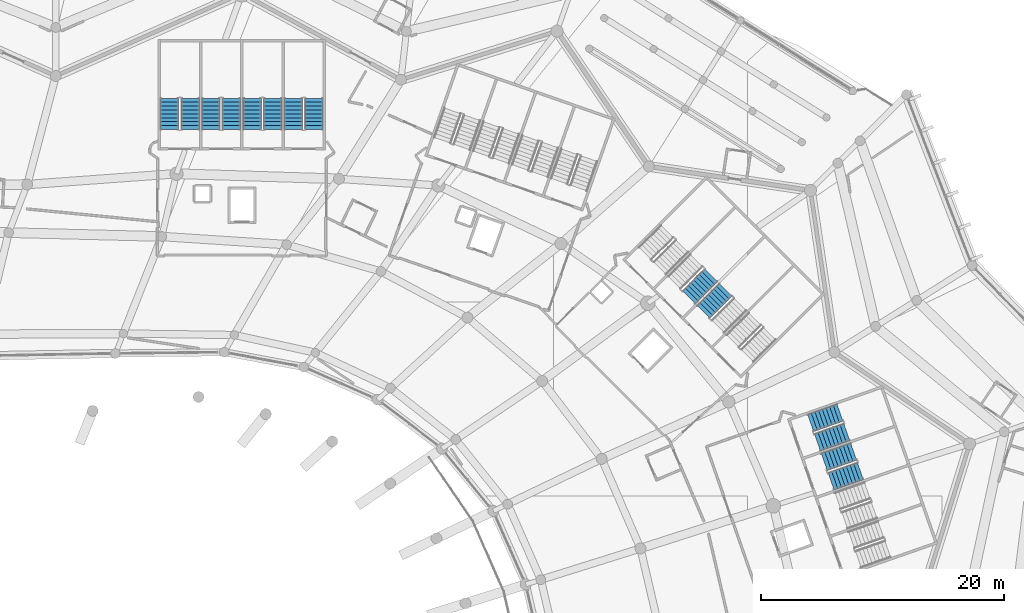
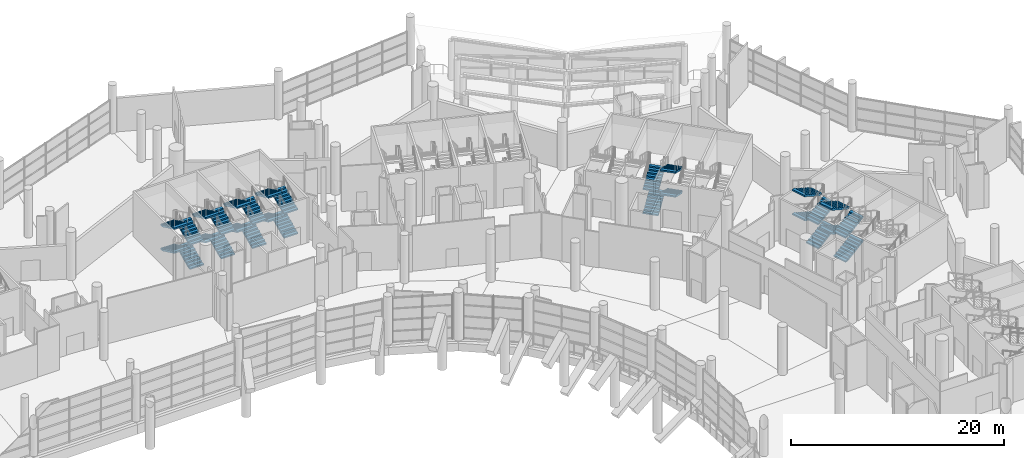
# One storey, part 219 of 271: 28 stair flights, 8 elements without a shape of their own.
"""IFC4 building model written with IfcOpenShell, lengths in metres."""

import ifcopenshell
import ifcopenshell.guid

model = None  # the IFC model being written
_history = None  # IfcOwnerHistory: only IFC2X3 demands one
_inside = {}  # id of a spatial element -> (the spatial element, [elements in it])
_under = {}  # id of a project, library or spatial element -> (it, [spatial elements below it])
_declared = {}  # id of a project -> (the project, [libraries it declares])
_typed = {}  # id of a type object -> (the type object, [elements of that type])
_made_of = {}  # id of a material, layer set ... -> (it, [elements and type objects made of it])


def new_model(schema):
    """Start an empty IFC model of exactly this schema.

    Asked for "IFC4X3", IfcOpenShell would pick the latest addendum, in which some entities
    have other attributes; the version numbers below select the first issue.
    IFC2X3 requires an IfcOwnerHistory on every rooted entity: one is made here for all.
    """
    global model, _history
    if schema == "IFC4X3":
        model = ifcopenshell.file(schema_version=(4, 3, 0, 0))
    else:
        model = ifcopenshell.file(schema=schema)
    _inside.clear()
    _under.clear()
    _declared.clear()
    _typed.clear()
    _made_of.clear()
    _history = None
    if model.schema == "IFC2X3":
        org = make("IfcOrganization", Name="unknown")
        user = make(
            "IfcPersonAndOrganization",
            ThePerson=make("IfcPerson", FamilyName="unknown"),
            TheOrganization=org,
        )
        app = make(
            "IfcApplication",
            ApplicationDeveloper=org,
            Version="unknown",
            ApplicationFullName="unknown",
            ApplicationIdentifier="unknown",
        )
        _history = make(
            "IfcOwnerHistory",
            OwningUser=user,
            OwningApplication=app,
            ChangeAction="ADDED",
            CreationDate=0,
        )
    return model


def make(cls, **values):
    """One entity of the class cls with the attributes given. An attribute that is None is left unset."""
    return model.create_entity(
        cls, **{name: value for name, value in values.items() if value is not None}
    )


def rooted(cls, **values):
    """An entity with a GlobalId (a new one), such as an element, a storey or a relation."""
    return make(cls, GlobalId=ifcopenshell.guid.new(), OwnerHistory=_history, **values)


def si_unit(unit_type, name, prefix=None):
    """IfcSIUnit, for example si_unit("LENGTHUNIT", "METRE", prefix="MILLI")."""
    return make("IfcSIUnit", UnitType=unit_type, Prefix=prefix, Name=name)


def assignment(units):
    """IfcUnitAssignment: the units of a project."""
    return None if units is None else make("IfcUnitAssignment", Units=units)


def point(xyz):
    """IfcCartesianPoint."""
    return None if xyz is None else make("IfcCartesianPoint", Coordinates=xyz)


def direction(xyz):
    """IfcDirection."""
    return None if xyz is None else make("IfcDirection", DirectionRatios=xyz)


def frame(location, z_axis=None, x_axis=None):
    """IfcAxis2Placement3D, a coordinate frame: its origin and axes. An axis left out is left unset."""
    return make(
        "IfcAxis2Placement3D",
        Location=point(location),
        Axis=direction(z_axis),
        RefDirection=direction(x_axis),
    )


def origin():
    """The frame at (0, 0, 0) with its axes left unset."""
    return frame((0.0, 0.0, 0.0))


def place(relative_to, where):
    """IfcLocalPlacement: puts the frame where relative to a parent placement (None: the world)."""
    return make(
        "IfcLocalPlacement", PlacementRelTo=relative_to, RelativePlacement=where
    )


def context(
    kind, dimensions, precision=None, world=None, true_north=None, identifier=None
):
    """IfcGeometricRepresentationContext, for example the 3D "Model" context."""
    return make(
        "IfcGeometricRepresentationContext",
        ContextIdentifier=identifier,
        ContextType=kind,
        CoordinateSpaceDimension=dimensions,
        Precision=precision,
        WorldCoordinateSystem=world,
        TrueNorth=true_north,
    )


def subcontext(parent, identifier, kind, view, scale=None):
    """IfcGeometricRepresentationSubContext, for example "Body" below "Model"."""
    return make(
        "IfcGeometricRepresentationSubContext",
        ContextIdentifier=identifier,
        ContextType=kind,
        ParentContext=parent,
        TargetScale=scale,
        TargetView=view,
    )


def project(units=None, contexts=None):
    """IfcProject with its units and contexts."""
    return rooted(
        "IfcProject",
        Name="project",
        RepresentationContexts=contexts,
        UnitsInContext=assignment(units),
    )


def spatial(cls, under=None, at=None, **own):
    """A site, building, storey or space (cls), placed at a placement, below another one or the project."""
    s = rooted(cls, ObjectPlacement=at, **own)
    if under is not None:
        _under.setdefault(under.id(), (under, []))[1].append(s)
    return s


def polyline(points):
    """IfcPolyline through the points."""
    return make("IfcPolyline", Points=[point(p) for p in points])


def outline(outer, holes=None, kind="AREA"):
    """IfcArbitraryClosedProfileDef: a profile drawn as a closed curve; with holes, ...WithVoids."""
    if holes is None:
        return make("IfcArbitraryClosedProfileDef", ProfileType=kind, OuterCurve=outer)
    return make(
        "IfcArbitraryProfileDefWithVoids",
        ProfileType=kind,
        OuterCurve=outer,
        InnerCurves=holes,
    )


def extrude(swept, where, along, depth):
    """IfcExtrudedAreaSolid: the profile swept, set in the frame where, extruded along a direction by depth."""
    return make(
        "IfcExtrudedAreaSolid",
        SweptArea=swept,
        Position=where,
        ExtrudedDirection=direction(along),
        Depth=depth,
    )


def shape(context_of_items, identifier, shape_type, items):
    """IfcShapeRepresentation: the items that make up one representation, for example the "Body"."""
    return make(
        "IfcShapeRepresentation",
        ContextOfItems=context_of_items,
        RepresentationIdentifier=identifier,
        RepresentationType=shape_type,
        Items=items,
    )


def material(Name=None, Category=None):
    """IfcMaterial."""
    return make("IfcMaterial", Name=Name, Category=Category)


def made_of(thing, what):
    """Note that an element or type object is made of a material, layer set ...; save() writes the relation."""
    if what is not None:
        _made_of.setdefault(what.id(), (what, []))[1].append(thing)
    return thing


def type_object(cls, material=None, **own):
    """A type object (cls), such as IfcWallType, which elements share."""
    return made_of(rooted(cls, **own), material)


def element(
    cls,
    number,
    at=None,
    inside=None,
    cuts=None,
    type_object=None,
    material=None,
    context=None,
    identifier="Body",
    shape_type=None,
    held_by="IfcProductDefinitionShape",
    body=None,
    shapes=None,
    **own,
):
    """One element of the class cls, such as IfcWall. Its Tag is "e" and its number.

    at: its placement. inside: the storey or other place that contains it. cuts: it is an
    opening in that element (IfcRelVoidsElement). A single representation is given by context,
    identifier, shape_type and body (its items); several are given by shapes. held_by: the class
    of the entity that holds the representations. save() writes the other relations.
    """
    e = rooted(cls, Tag="e%d" % number, ObjectPlacement=at, **own)
    if body is not None:
        shapes = [shape(context, identifier, shape_type, body)]
    if shapes is not None:
        e.Representation = make(held_by, Representations=shapes)
    if inside is not None:
        _inside.setdefault(inside.id(), (inside, []))[1].append(e)
    if cuts is not None:
        rooted(
            "IfcRelVoidsElement", RelatingBuildingElement=cuts, RelatedOpeningElement=e
        )
    if type_object is not None:
        _typed.setdefault(type_object.id(), (type_object, []))[1].append(e)
    return made_of(e, material)


def aggregate(whole, parts):
    """IfcRelAggregates: a whole, such as a stair, and the parts it consists of."""
    return rooted("IfcRelAggregates", RelatingObject=whole, RelatedObjects=parts)


def save(model, path):
    """Write the relations noted so far, then the file.

    IfcRelAggregates (storeys below a building ...), IfcRelContainedInSpatialStructure (elements
    in a storey), IfcRelDefinesByType, IfcRelAssociatesMaterial and IfcRelDeclares: one each for
    every whole, place, type object, material and project.
    """
    for whole, parts in _under.values():
        aggregate(whole, parts)
    for where, things in _inside.values():
        rooted(
            "IfcRelContainedInSpatialStructure",
            RelatedElements=things,
            RelatingStructure=where,
        )
    for kind, things in _typed.values():
        rooted("IfcRelDefinesByType", RelatedObjects=things, RelatingType=kind)
    for what, things in _made_of.values():
        rooted("IfcRelAssociatesMaterial", RelatedObjects=things, RelatingMaterial=what)
    for by, libraries in _declared.values():
        rooted("IfcRelDeclares", RelatingContext=by, RelatedDefinitions=libraries)
    model.write(path)


model = new_model("IFC4")

# Units and contexts
model_context = context("Model", 3, precision=1e-05, world=origin(), true_north=direction((0.0, 1.0)))
body_context = subcontext(model_context, "Body", "Model", "MODEL_VIEW")
ifc_project = project(units=[si_unit("LENGTHUNIT", "METRE"), si_unit("AREAUNIT", "SQUARE_METRE"), si_unit("VOLUMEUNIT", "CUBIC_METRE"), si_unit("PLANEANGLEUNIT", "RADIAN"), si_unit("MASSUNIT", "GRAM", prefix="KILO")], contexts=[model_context])

# Site, building, storey
site_placement = place(None, origin())
site = spatial("IfcSite", under=ifc_project, at=site_placement, CompositionType="ELEMENT")
building_placement = place(site_placement, origin())
building = spatial("IfcBuilding", under=site, at=building_placement, Name="Meseta Stadium", CompositionType="ELEMENT")
storey_placement = place(building_placement, frame((0.0, 0.0, 6.5)))
storey = spatial("IfcBuildingStorey", under=building, at=storey_placement, Name="L01", CompositionType="ELEMENT", Elevation=6.5)

# Stair, stair flights
ifc_material_1 = material(Name="Concrete C40/50", Category="concrete")
stair_type = type_object("IfcStairType", Name="Exit stair 4 flights 153 mm risers", PredefinedType="HALF_TURN_STAIR", material=ifc_material_1)
stair_1_placement = place(storey_placement, origin())
stair_1 = element("IfcStair", 1, at=stair_1_placement, inside=storey, type_object=stair_type, Name="ST23 L01", PredefinedType="HALF_TURN_STAIR")
ifc_material_2 = material(Name="Concrete C40/50", Category="concrete")
stair_flight_type = type_object("IfcStairFlightType", Name="Exit stair flight 153 mm risers, 4 per storey", PredefinedType="STRAIGHT", material=ifc_material_2)
stair_flight_1_placement = place(storey_placement, frame((86.87255859375, 65.202392578125, 0.0), z_axis=(0.0, 0.0, 1.0), x_axis=(0.943883331955, 0.330279057248, 0.0)))
stair_flight_1 = element("IfcStairFlight", 2, at=stair_flight_1_placement, type_object=stair_flight_type, Name="ST23 L01 flight 1", NumberOfRisers=9, NumberOfTreads=8, PredefinedType="STRAIGHT", RiserHeight=0.152777778, TreadLength=0.32, context=body_context, shape_type="SweptSolid", body=[
    extrude(outline(polyline([(0.0, 0.0), (0.0, 0.15283203125), (0.320068359375, 0.15283203125), (0.320068359375, 0.3056640625), (0.639892578125, 0.3056640625), (0.639892578125, 0.458251953125), (0.9599609375, 0.458251953125), (0.9599609375, 0.611083984375), (1.280029296875, 0.611083984375), (1.280029296875, 0.763916015625), (1.60009765625, 0.763916015625), (1.60009765625, 0.916748046875), (1.919921875, 0.916748046875), (1.919921875, 1.0693359375), (2.239990234375, 1.0693359375), (2.239990234375, 1.22216796875), (2.56005859375, 1.22216796875), (2.56005859375, 1.05615234375), (0.347900390625, 0.0), (0.0, 0.0)])), frame((0.0, 0.75, 0.0), z_axis=(0.0, -1.0, 0.0), x_axis=(1.0, 0.0, 0.0)), (0.0, 0.0, 1.0), 1.5),
])
stair_flight_2_placement = place(storey_placement, frame((88.7275390625, 67.652587890625, 1.375), z_axis=(0.0, 0.0, 1.0), x_axis=(-0.943883331955, -0.330279057248, 0.0)))
stair_flight_2 = element("IfcStairFlight", 3, at=stair_flight_2_placement, type_object=stair_flight_type, Name="ST23 L01 flight 2", NumberOfRisers=9, NumberOfTreads=8, PredefinedType="STRAIGHT", RiserHeight=0.152777778, TreadLength=0.32, context=body_context, shape_type="SweptSolid", body=[
    extrude(outline(polyline([(0.0, 0.0), (0.0, 0.15283203125), (0.320068359375, 0.15283203125), (0.320068359375, 0.3056640625), (0.639892578125, 0.3056640625), (0.639892578125, 0.458251953125), (0.9599609375, 0.458251953125), (0.9599609375, 0.611083984375), (1.280029296875, 0.611083984375), (1.280029296875, 0.763916015625), (1.60009765625, 0.763916015625), (1.60009765625, 0.916748046875), (1.919921875, 0.916748046875), (1.919921875, 1.0693359375), (2.239990234375, 1.0693359375), (2.239990234375, 1.22216796875), (2.56005859375, 1.22216796875), (2.56005859375, 1.05615234375), (0.347900390625, 0.0), (0.0, 0.0)])), frame((0.0, 0.75, 0.0), z_axis=(0.0, -1.0, 0.0), x_axis=(1.0, 0.0, 0.0)), (0.0, 0.0, 1.0), 1.5),
])
stair_flight_3_placement = place(storey_placement, frame((86.87255859375, 65.202392578125, 2.75), z_axis=(0.0, 0.0, 1.0), x_axis=(0.943883331955, 0.330279057248, 0.0)))
stair_flight_3 = element("IfcStairFlight", 4, at=stair_flight_3_placement, type_object=stair_flight_type, Name="ST23 L01 flight 3", NumberOfRisers=9, NumberOfTreads=8, PredefinedType="STRAIGHT", RiserHeight=0.152777778, TreadLength=0.32, context=body_context, shape_type="SweptSolid", body=[
    extrude(outline(polyline([(0.0, 0.0), (0.0, 0.15283203125), (0.320068359375, 0.15283203125), (0.320068359375, 0.3056640625), (0.639892578125, 0.3056640625), (0.639892578125, 0.458251953125), (0.9599609375, 0.458251953125), (0.9599609375, 0.611083984375), (1.280029296875, 0.611083984375), (1.280029296875, 0.763916015625), (1.60009765625, 0.763916015625), (1.60009765625, 0.916748046875), (1.919921875, 0.916748046875), (1.919921875, 1.0693359375), (2.239990234375, 1.0693359375), (2.239990234375, 1.22216796875), (2.56005859375, 1.22216796875), (2.56005859375, 1.05615234375), (0.347900390625, 0.0), (0.0, 0.0)])), frame((0.0, 0.75, 0.0), z_axis=(0.0, -1.0, 0.0), x_axis=(1.0, 0.0, 0.0)), (0.0, 0.0, 1.0), 1.5),
])
stair_flight_4_placement = place(storey_placement, frame((88.7275390625, 67.652587890625, 4.125), z_axis=(0.0, 0.0, 1.0), x_axis=(-0.943883331955, -0.330279057248, 0.0)))
stair_flight_4 = element("IfcStairFlight", 5, at=stair_flight_4_placement, type_object=stair_flight_type, Name="ST23 L01 flight 4", NumberOfRisers=9, NumberOfTreads=8, PredefinedType="STRAIGHT", RiserHeight=0.152777778, TreadLength=0.32, context=body_context, shape_type="SweptSolid", body=[
    extrude(outline(polyline([(0.0, 0.0), (0.0, 0.15283203125), (0.320068359375, 0.15283203125), (0.320068359375, 0.3056640625), (0.639892578125, 0.3056640625), (0.639892578125, 0.458251953125), (0.9599609375, 0.458251953125), (0.9599609375, 0.611083984375), (1.280029296875, 0.611083984375), (1.280029296875, 0.763916015625), (1.60009765625, 0.763916015625), (1.60009765625, 0.916748046875), (1.919921875, 0.916748046875), (1.919921875, 1.0693359375), (2.239990234375, 1.0693359375), (2.239990234375, 1.22216796875), (2.56005859375, 1.22216796875), (2.56005859375, 1.05615234375), (0.347900390625, 0.0), (0.0, 0.0)])), frame((0.0, 0.75, 0.0), z_axis=(0.0, -1.0, 0.0), x_axis=(1.0, 0.0, 0.0)), (0.0, 0.0, 1.0), 1.5),
])
aggregate(stair_1, [stair_flight_1, stair_flight_2, stair_flight_3, stair_flight_4])

stair_2_placement = place(storey_placement, origin())
stair_2 = element("IfcStair", 6, at=stair_2_placement, inside=storey, type_object=stair_type, Name="ST24 L01", PredefinedType="HALF_TURN_STAIR")
stair_flight_5_placement = place(storey_placement, frame((85.74951171875, 68.41162109375, 0.0), z_axis=(0.0, 0.0, 1.0), x_axis=(0.943883331955, 0.330279057248, 0.0)))
stair_flight_5 = element("IfcStairFlight", 7, at=stair_flight_5_placement, type_object=stair_flight_type, Name="ST24 L01 flight 1", NumberOfRisers=9, NumberOfTreads=8, PredefinedType="STRAIGHT", RiserHeight=0.152777778, TreadLength=0.32, context=body_context, shape_type="SweptSolid", body=[
    extrude(outline(polyline([(0.0, 0.0), (0.0, 0.15283203125), (0.320068359375, 0.15283203125), (0.320068359375, 0.3056640625), (0.639892578125, 0.3056640625), (0.639892578125, 0.458251953125), (0.9599609375, 0.458251953125), (0.9599609375, 0.611083984375), (1.280029296875, 0.611083984375), (1.280029296875, 0.763916015625), (1.60009765625, 0.763916015625), (1.60009765625, 0.916748046875), (1.919921875, 0.916748046875), (1.919921875, 1.0693359375), (2.239990234375, 1.0693359375), (2.239990234375, 1.22216796875), (2.56005859375, 1.22216796875), (2.56005859375, 1.05615234375), (0.347900390625, 0.0), (0.0, 0.0)])), frame((0.0, 0.75, 0.0), z_axis=(0.0, -1.0, 0.0), x_axis=(1.0, 0.0, 0.0)), (0.0, 0.0, 1.0), 1.5),
])
stair_flight_6_placement = place(storey_placement, frame((87.6044921875, 70.86181640625, 1.375), z_axis=(0.0, 0.0, 1.0), x_axis=(-0.943883331955, -0.330279057248, 0.0)))
stair_flight_6 = element("IfcStairFlight", 8, at=stair_flight_6_placement, type_object=stair_flight_type, Name="ST24 L01 flight 2", NumberOfRisers=9, NumberOfTreads=8, PredefinedType="STRAIGHT", RiserHeight=0.152777778, TreadLength=0.32, context=body_context, shape_type="SweptSolid", body=[
    extrude(outline(polyline([(0.0, 0.0), (0.0, 0.15283203125), (0.320068359375, 0.15283203125), (0.320068359375, 0.3056640625), (0.639892578125, 0.3056640625), (0.639892578125, 0.458251953125), (0.9599609375, 0.458251953125), (0.9599609375, 0.611083984375), (1.280029296875, 0.611083984375), (1.280029296875, 0.763916015625), (1.60009765625, 0.763916015625), (1.60009765625, 0.916748046875), (1.919921875, 0.916748046875), (1.919921875, 1.0693359375), (2.239990234375, 1.0693359375), (2.239990234375, 1.22216796875), (2.56005859375, 1.22216796875), (2.56005859375, 1.05615234375), (0.347900390625, 0.0), (0.0, 0.0)])), frame((0.0, 0.75, 0.0), z_axis=(0.0, -1.0, 0.0), x_axis=(1.0, 0.0, 0.0)), (0.0, 0.0, 1.0), 1.5),
])
stair_flight_7_placement = place(storey_placement, frame((85.74951171875, 68.41162109375, 2.75), z_axis=(0.0, 0.0, 1.0), x_axis=(0.943883331955, 0.330279057248, 0.0)))
stair_flight_7 = element("IfcStairFlight", 9, at=stair_flight_7_placement, type_object=stair_flight_type, Name="ST24 L01 flight 3", NumberOfRisers=9, NumberOfTreads=8, PredefinedType="STRAIGHT", RiserHeight=0.152777778, TreadLength=0.32, context=body_context, shape_type="SweptSolid", body=[
    extrude(outline(polyline([(0.0, 0.0), (0.0, 0.15283203125), (0.320068359375, 0.15283203125), (0.320068359375, 0.3056640625), (0.639892578125, 0.3056640625), (0.639892578125, 0.458251953125), (0.9599609375, 0.458251953125), (0.9599609375, 0.611083984375), (1.280029296875, 0.611083984375), (1.280029296875, 0.763916015625), (1.60009765625, 0.763916015625), (1.60009765625, 0.916748046875), (1.919921875, 0.916748046875), (1.919921875, 1.0693359375), (2.239990234375, 1.0693359375), (2.239990234375, 1.22216796875), (2.56005859375, 1.22216796875), (2.56005859375, 1.05615234375), (0.347900390625, 0.0), (0.0, 0.0)])), frame((0.0, 0.75, 0.0), z_axis=(0.0, -1.0, 0.0), x_axis=(1.0, 0.0, 0.0)), (0.0, 0.0, 1.0), 1.5),
])
stair_flight_8_placement = place(storey_placement, frame((87.6044921875, 70.86181640625, 4.125), z_axis=(0.0, 0.0, 1.0), x_axis=(-0.943883331955, -0.330279057248, 0.0)))
stair_flight_8 = element("IfcStairFlight", 10, at=stair_flight_8_placement, type_object=stair_flight_type, Name="ST24 L01 flight 4", NumberOfRisers=9, NumberOfTreads=8, PredefinedType="STRAIGHT", RiserHeight=0.152777778, TreadLength=0.32, context=body_context, shape_type="SweptSolid", body=[
    extrude(outline(polyline([(0.0, 0.0), (0.0, 0.15283203125), (0.320068359375, 0.15283203125), (0.320068359375, 0.3056640625), (0.639892578125, 0.3056640625), (0.639892578125, 0.458251953125), (0.9599609375, 0.458251953125), (0.9599609375, 0.611083984375), (1.280029296875, 0.611083984375), (1.280029296875, 0.763916015625), (1.60009765625, 0.763916015625), (1.60009765625, 0.916748046875), (1.919921875, 0.916748046875), (1.919921875, 1.0693359375), (2.239990234375, 1.0693359375), (2.239990234375, 1.22216796875), (2.56005859375, 1.22216796875), (2.56005859375, 1.05615234375), (0.347900390625, 0.0), (0.0, 0.0)])), frame((0.0, 0.75, 0.0), z_axis=(0.0, -1.0, 0.0), x_axis=(1.0, 0.0, 0.0)), (0.0, 0.0, 1.0), 1.5),
])
aggregate(stair_2, [stair_flight_5, stair_flight_6, stair_flight_7, stair_flight_8])

stair_3_placement = place(storey_placement, origin())
stair_3 = element("IfcStair", 11, at=stair_3_placement, inside=storey, type_object=stair_type, Name="ST26 L01", PredefinedType="HALF_TURN_STAIR")
stair_flight_9_placement = place(storey_placement, frame((78.180419921875, 80.978271484375, 1.375), z_axis=(0.0, 0.0, 1.0), x_axis=(-0.707106781187, -0.707106781187, 0.0)))
stair_flight_9 = element("IfcStairFlight", 12, at=stair_flight_9_placement, type_object=stair_flight_type, Name="ST26 L01 flight 2", NumberOfRisers=9, NumberOfTreads=8, PredefinedType="STRAIGHT", RiserHeight=0.152777778, TreadLength=0.32, context=body_context, shape_type="SweptSolid", body=[
    extrude(outline(polyline([(0.0, 0.0), (0.0, 0.15283203125), (0.320068359375, 0.15283203125), (0.320068359375, 0.3056640625), (0.639892578125, 0.3056640625), (0.639892578125, 0.458251953125), (0.9599609375, 0.458251953125), (0.9599609375, 0.611083984375), (1.280029296875, 0.611083984375), (1.280029296875, 0.763916015625), (1.60009765625, 0.763916015625), (1.60009765625, 0.916748046875), (1.919921875, 0.916748046875), (1.919921875, 1.0693359375), (2.239990234375, 1.0693359375), (2.239990234375, 1.22216796875), (2.56005859375, 1.22216796875), (2.56005859375, 1.05615234375), (0.347900390625, 0.0), (0.0, 0.0)])), frame((0.0, 0.75, 0.0), z_axis=(0.0, -1.0, 0.0), x_axis=(1.0, 0.0, 0.0)), (0.0, 0.0, 1.0), 1.5),
])
stair_flight_10_placement = place(storey_placement, frame((78.180419921875, 80.978271484375, 4.125), z_axis=(0.0, 0.0, 1.0), x_axis=(-0.707106781187, -0.707106781187, 0.0)))
stair_flight_10 = element("IfcStairFlight", 13, at=stair_flight_10_placement, type_object=stair_flight_type, Name="ST26 L01 flight 4", NumberOfRisers=9, NumberOfTreads=8, PredefinedType="STRAIGHT", RiserHeight=0.152777778, TreadLength=0.32, context=body_context, shape_type="SweptSolid", body=[
    extrude(outline(polyline([(0.0, 0.0), (0.0, 0.15283203125), (0.320068359375, 0.15283203125), (0.320068359375, 0.3056640625), (0.639892578125, 0.3056640625), (0.639892578125, 0.458251953125), (0.9599609375, 0.458251953125), (0.9599609375, 0.611083984375), (1.280029296875, 0.611083984375), (1.280029296875, 0.763916015625), (1.60009765625, 0.763916015625), (1.60009765625, 0.916748046875), (1.919921875, 0.916748046875), (1.919921875, 1.0693359375), (2.239990234375, 1.0693359375), (2.239990234375, 1.22216796875), (2.56005859375, 1.22216796875), (2.56005859375, 1.05615234375), (0.347900390625, 0.0), (0.0, 0.0)])), frame((0.0, 0.75, 0.0), z_axis=(0.0, -1.0, 0.0), x_axis=(1.0, 0.0, 0.0)), (0.0, 0.0, 1.0), 1.5),
])
aggregate(stair_3, [stair_flight_9, stair_flight_10])

stair_4_placement = place(storey_placement, origin())
stair_4 = element("IfcStair", 14, at=stair_4_placement, inside=storey, type_object=stair_type, Name="ST27 L01", PredefinedType="HALF_TURN_STAIR")
stair_flight_11_placement = place(storey_placement, frame((75.168212890625, 80.3701171875, 0.0), z_axis=(0.0, 0.0, 1.0), x_axis=(0.707106781187, 0.707106781187, 0.0)))
stair_flight_11 = element("IfcStairFlight", 15, at=stair_flight_11_placement, type_object=stair_flight_type, Name="ST27 L01 flight 1", NumberOfRisers=9, NumberOfTreads=8, PredefinedType="STRAIGHT", RiserHeight=0.152777778, TreadLength=0.32, context=body_context, shape_type="SweptSolid", body=[
    extrude(outline(polyline([(0.0, 0.0), (0.0, 0.15283203125), (0.320068359375, 0.15283203125), (0.320068359375, 0.3056640625), (0.639892578125, 0.3056640625), (0.639892578125, 0.458251953125), (0.9599609375, 0.458251953125), (0.9599609375, 0.611083984375), (1.280029296875, 0.611083984375), (1.280029296875, 0.763916015625), (1.60009765625, 0.763916015625), (1.60009765625, 0.916748046875), (1.919921875, 0.916748046875), (1.919921875, 1.0693359375), (2.239990234375, 1.0693359375), (2.239990234375, 1.22216796875), (2.56005859375, 1.22216796875), (2.56005859375, 1.05615234375), (0.347900390625, 0.0), (0.0, 0.0)])), frame((0.0, 0.75, 0.0), z_axis=(0.0, -1.0, 0.0), x_axis=(1.0, 0.0, 0.0)), (0.0, 0.0, 1.0), 1.5),
])
stair_flight_12_placement = place(storey_placement, frame((75.168212890625, 80.3701171875, 2.75), z_axis=(0.0, 0.0, 1.0), x_axis=(0.707106781187, 0.707106781187, 0.0)))
stair_flight_12 = element("IfcStairFlight", 16, at=stair_flight_12_placement, type_object=stair_flight_type, Name="ST27 L01 flight 3", NumberOfRisers=9, NumberOfTreads=8, PredefinedType="STRAIGHT", RiserHeight=0.152777778, TreadLength=0.32, context=body_context, shape_type="SweptSolid", body=[
    extrude(outline(polyline([(0.0, 0.0), (0.0, 0.15283203125), (0.320068359375, 0.15283203125), (0.320068359375, 0.3056640625), (0.639892578125, 0.3056640625), (0.639892578125, 0.458251953125), (0.9599609375, 0.458251953125), (0.9599609375, 0.611083984375), (1.280029296875, 0.611083984375), (1.280029296875, 0.763916015625), (1.60009765625, 0.763916015625), (1.60009765625, 0.916748046875), (1.919921875, 0.916748046875), (1.919921875, 1.0693359375), (2.239990234375, 1.0693359375), (2.239990234375, 1.22216796875), (2.56005859375, 1.22216796875), (2.56005859375, 1.05615234375), (0.347900390625, 0.0), (0.0, 0.0)])), frame((0.0, 0.75, 0.0), z_axis=(0.0, -1.0, 0.0), x_axis=(1.0, 0.0, 0.0)), (0.0, 0.0, 1.0), 1.5),
])
aggregate(stair_4, [stair_flight_11, stair_flight_12])

stair_5_placement = place(storey_placement, origin())
stair_5 = element("IfcStair", 17, at=stair_5_placement, inside=storey, type_object=stair_type, Name="ST33 L01", PredefinedType="HALF_TURN_STAIR")
stair_flight_13_placement = place(storey_placement, frame((44.283447265625, 94.199951171875, 0.0), z_axis=(0.0, 0.0, 1.0), x_axis=(0.0, 1.0, 0.0)))
stair_flight_13 = element("IfcStairFlight", 18, at=stair_flight_13_placement, type_object=stair_flight_type, Name="ST33 L01 flight 1", NumberOfRisers=9, NumberOfTreads=8, PredefinedType="STRAIGHT", RiserHeight=0.152777778, TreadLength=0.32, context=body_context, shape_type="SweptSolid", body=[
    extrude(outline(polyline([(0.0, 0.0), (0.0, 0.15283203125), (0.320068359375, 0.15283203125), (0.320068359375, 0.3056640625), (0.639892578125, 0.3056640625), (0.639892578125, 0.458251953125), (0.9599609375, 0.458251953125), (0.9599609375, 0.611083984375), (1.280029296875, 0.611083984375), (1.280029296875, 0.763916015625), (1.60009765625, 0.763916015625), (1.60009765625, 0.916748046875), (1.919921875, 0.916748046875), (1.919921875, 1.0693359375), (2.239990234375, 1.0693359375), (2.239990234375, 1.22216796875), (2.56005859375, 1.22216796875), (2.56005859375, 1.05615234375), (0.347900390625, 0.0), (0.0, 0.0)])), frame((0.0, 0.75, 0.0), z_axis=(0.0, -1.0, 0.0), x_axis=(1.0, 0.0, 0.0)), (0.0, 0.0, 1.0), 1.5),
])
stair_flight_14_placement = place(storey_placement, frame((42.583251953125, 96.760009765625, 1.375), z_axis=(0.0, 0.0, 1.0), x_axis=(0.0, -1.0, 0.0)))
stair_flight_14 = element("IfcStairFlight", 19, at=stair_flight_14_placement, type_object=stair_flight_type, Name="ST33 L01 flight 2", NumberOfRisers=9, NumberOfTreads=8, PredefinedType="STRAIGHT", RiserHeight=0.152777778, TreadLength=0.32, context=body_context, shape_type="SweptSolid", body=[
    extrude(outline(polyline([(0.0, 0.0), (0.0, 0.15283203125), (0.320068359375, 0.15283203125), (0.320068359375, 0.3056640625), (0.639892578125, 0.3056640625), (0.639892578125, 0.458251953125), (0.9599609375, 0.458251953125), (0.9599609375, 0.611083984375), (1.280029296875, 0.611083984375), (1.280029296875, 0.763916015625), (1.60009765625, 0.763916015625), (1.60009765625, 0.916748046875), (1.919921875, 0.916748046875), (1.919921875, 1.0693359375), (2.239990234375, 1.0693359375), (2.239990234375, 1.22216796875), (2.56005859375, 1.22216796875), (2.56005859375, 1.05615234375), (0.347900390625, 0.0), (0.0, 0.0)])), frame((0.0, 0.75, 0.0), z_axis=(0.0, -1.0, 0.0), x_axis=(1.0, 0.0, 0.0)), (0.0, 0.0, 1.0), 1.5),
])
stair_flight_15_placement = place(storey_placement, frame((44.283447265625, 94.199951171875, 2.75), z_axis=(0.0, 0.0, 1.0), x_axis=(0.0, 1.0, 0.0)))
stair_flight_15 = element("IfcStairFlight", 20, at=stair_flight_15_placement, type_object=stair_flight_type, Name="ST33 L01 flight 3", NumberOfRisers=9, NumberOfTreads=8, PredefinedType="STRAIGHT", RiserHeight=0.152777778, TreadLength=0.32, context=body_context, shape_type="SweptSolid", body=[
    extrude(outline(polyline([(0.0, 0.0), (0.0, 0.15283203125), (0.320068359375, 0.15283203125), (0.320068359375, 0.3056640625), (0.639892578125, 0.3056640625), (0.639892578125, 0.458251953125), (0.9599609375, 0.458251953125), (0.9599609375, 0.611083984375), (1.280029296875, 0.611083984375), (1.280029296875, 0.763916015625), (1.60009765625, 0.763916015625), (1.60009765625, 0.916748046875), (1.919921875, 0.916748046875), (1.919921875, 1.0693359375), (2.239990234375, 1.0693359375), (2.239990234375, 1.22216796875), (2.56005859375, 1.22216796875), (2.56005859375, 1.05615234375), (0.347900390625, 0.0), (0.0, 0.0)])), frame((0.0, 0.75, 0.0), z_axis=(0.0, -1.0, 0.0), x_axis=(1.0, 0.0, 0.0)), (0.0, 0.0, 1.0), 1.5),
])
stair_flight_16_placement = place(storey_placement, frame((42.583251953125, 96.760009765625, 4.125), z_axis=(0.0, 0.0, 1.0), x_axis=(0.0, -1.0, 0.0)))
stair_flight_16 = element("IfcStairFlight", 21, at=stair_flight_16_placement, type_object=stair_flight_type, Name="ST33 L01 flight 4", NumberOfRisers=9, NumberOfTreads=8, PredefinedType="STRAIGHT", RiserHeight=0.152777778, TreadLength=0.32, context=body_context, shape_type="SweptSolid", body=[
    extrude(outline(polyline([(0.0, 0.0), (0.0, 0.15283203125), (0.320068359375, 0.15283203125), (0.320068359375, 0.3056640625), (0.639892578125, 0.3056640625), (0.639892578125, 0.458251953125), (0.9599609375, 0.458251953125), (0.9599609375, 0.611083984375), (1.280029296875, 0.611083984375), (1.280029296875, 0.763916015625), (1.60009765625, 0.763916015625), (1.60009765625, 0.916748046875), (1.919921875, 0.916748046875), (1.919921875, 1.0693359375), (2.239990234375, 1.0693359375), (2.239990234375, 1.22216796875), (2.56005859375, 1.22216796875), (2.56005859375, 1.05615234375), (0.347900390625, 0.0), (0.0, 0.0)])), frame((0.0, 0.75, 0.0), z_axis=(0.0, -1.0, 0.0), x_axis=(1.0, 0.0, 0.0)), (0.0, 0.0, 1.0), 1.5),
])
aggregate(stair_5, [stair_flight_13, stair_flight_14, stair_flight_15, stair_flight_16])

stair_6_placement = place(storey_placement, origin())
stair_6 = element("IfcStair", 22, at=stair_6_placement, inside=storey, type_object=stair_type, Name="ST34 L01", PredefinedType="HALF_TURN_STAIR")
stair_flight_17_placement = place(storey_placement, frame((40.88330078125, 94.199951171875, 0.0), z_axis=(0.0, 0.0, 1.0), x_axis=(0.0, 1.0, 0.0)))
stair_flight_17 = element("IfcStairFlight", 23, at=stair_flight_17_placement, type_object=stair_flight_type, Name="ST34 L01 flight 1", NumberOfRisers=9, NumberOfTreads=8, PredefinedType="STRAIGHT", RiserHeight=0.152777778, TreadLength=0.32, context=body_context, shape_type="SweptSolid", body=[
    extrude(outline(polyline([(0.0, 0.0), (0.0, 0.15283203125), (0.320068359375, 0.15283203125), (0.320068359375, 0.3056640625), (0.639892578125, 0.3056640625), (0.639892578125, 0.458251953125), (0.9599609375, 0.458251953125), (0.9599609375, 0.611083984375), (1.280029296875, 0.611083984375), (1.280029296875, 0.763916015625), (1.60009765625, 0.763916015625), (1.60009765625, 0.916748046875), (1.919921875, 0.916748046875), (1.919921875, 1.0693359375), (2.239990234375, 1.0693359375), (2.239990234375, 1.22216796875), (2.56005859375, 1.22216796875), (2.56005859375, 1.05615234375), (0.347900390625, 0.0), (0.0, 0.0)])), frame((0.0, 0.75, 0.0), z_axis=(0.0, -1.0, 0.0), x_axis=(1.0, 0.0, 0.0)), (0.0, 0.0, 1.0), 1.5),
])
stair_flight_18_placement = place(storey_placement, frame((39.183349609375, 96.760009765625, 1.375), z_axis=(0.0, 0.0, 1.0), x_axis=(0.0, -1.0, 0.0)))
stair_flight_18 = element("IfcStairFlight", 24, at=stair_flight_18_placement, type_object=stair_flight_type, Name="ST34 L01 flight 2", NumberOfRisers=9, NumberOfTreads=8, PredefinedType="STRAIGHT", RiserHeight=0.152777778, TreadLength=0.32, context=body_context, shape_type="SweptSolid", body=[
    extrude(outline(polyline([(0.0, 0.0), (0.0, 0.15283203125), (0.320068359375, 0.15283203125), (0.320068359375, 0.3056640625), (0.639892578125, 0.3056640625), (0.639892578125, 0.458251953125), (0.9599609375, 0.458251953125), (0.9599609375, 0.611083984375), (1.280029296875, 0.611083984375), (1.280029296875, 0.763916015625), (1.60009765625, 0.763916015625), (1.60009765625, 0.916748046875), (1.919921875, 0.916748046875), (1.919921875, 1.0693359375), (2.239990234375, 1.0693359375), (2.239990234375, 1.22216796875), (2.56005859375, 1.22216796875), (2.56005859375, 1.05615234375), (0.347900390625, 0.0), (0.0, 0.0)])), frame((0.0, 0.75, 0.0), z_axis=(0.0, -1.0, 0.0), x_axis=(1.0, 0.0, 0.0)), (0.0, 0.0, 1.0), 1.5),
])
stair_flight_19_placement = place(storey_placement, frame((40.88330078125, 94.199951171875, 2.75), z_axis=(0.0, 0.0, 1.0), x_axis=(0.0, 1.0, 0.0)))
stair_flight_19 = element("IfcStairFlight", 25, at=stair_flight_19_placement, type_object=stair_flight_type, Name="ST34 L01 flight 3", NumberOfRisers=9, NumberOfTreads=8, PredefinedType="STRAIGHT", RiserHeight=0.152777778, TreadLength=0.32, context=body_context, shape_type="SweptSolid", body=[
    extrude(outline(polyline([(0.0, 0.0), (0.0, 0.15283203125), (0.320068359375, 0.15283203125), (0.320068359375, 0.3056640625), (0.639892578125, 0.3056640625), (0.639892578125, 0.458251953125), (0.9599609375, 0.458251953125), (0.9599609375, 0.611083984375), (1.280029296875, 0.611083984375), (1.280029296875, 0.763916015625), (1.60009765625, 0.763916015625), (1.60009765625, 0.916748046875), (1.919921875, 0.916748046875), (1.919921875, 1.0693359375), (2.239990234375, 1.0693359375), (2.239990234375, 1.22216796875), (2.56005859375, 1.22216796875), (2.56005859375, 1.05615234375), (0.347900390625, 0.0), (0.0, 0.0)])), frame((0.0, 0.75, 0.0), z_axis=(0.0, -1.0, 0.0), x_axis=(1.0, 0.0, 0.0)), (0.0, 0.0, 1.0), 1.5),
])
stair_flight_20_placement = place(storey_placement, frame((39.183349609375, 96.760009765625, 4.125), z_axis=(0.0, 0.0, 1.0), x_axis=(0.0, -1.0, 0.0)))
stair_flight_20 = element("IfcStairFlight", 26, at=stair_flight_20_placement, type_object=stair_flight_type, Name="ST34 L01 flight 4", NumberOfRisers=9, NumberOfTreads=8, PredefinedType="STRAIGHT", RiserHeight=0.152777778, TreadLength=0.32, context=body_context, shape_type="SweptSolid", body=[
    extrude(outline(polyline([(0.0, 0.0), (0.0, 0.15283203125), (0.320068359375, 0.15283203125), (0.320068359375, 0.3056640625), (0.639892578125, 0.3056640625), (0.639892578125, 0.458251953125), (0.9599609375, 0.458251953125), (0.9599609375, 0.611083984375), (1.280029296875, 0.611083984375), (1.280029296875, 0.763916015625), (1.60009765625, 0.763916015625), (1.60009765625, 0.916748046875), (1.919921875, 0.916748046875), (1.919921875, 1.0693359375), (2.239990234375, 1.0693359375), (2.239990234375, 1.22216796875), (2.56005859375, 1.22216796875), (2.56005859375, 1.05615234375), (0.347900390625, 0.0), (0.0, 0.0)])), frame((0.0, 0.75, 0.0), z_axis=(0.0, -1.0, 0.0), x_axis=(1.0, 0.0, 0.0)), (0.0, 0.0, 1.0), 1.5),
])
aggregate(stair_6, [stair_flight_17, stair_flight_18, stair_flight_19, stair_flight_20])

stair_7_placement = place(storey_placement, origin())
stair_7 = element("IfcStair", 27, at=stair_7_placement, inside=storey, type_object=stair_type, Name="ST35 L01", PredefinedType="HALF_TURN_STAIR")
stair_flight_21_placement = place(storey_placement, frame((37.4833984375, 94.199951171875, 0.0), z_axis=(0.0, 0.0, 1.0), x_axis=(0.0, 1.0, 0.0)))
stair_flight_21 = element("IfcStairFlight", 28, at=stair_flight_21_placement, type_object=stair_flight_type, Name="ST35 L01 flight 1", NumberOfRisers=9, NumberOfTreads=8, PredefinedType="STRAIGHT", RiserHeight=0.152777778, TreadLength=0.32, context=body_context, shape_type="SweptSolid", body=[
    extrude(outline(polyline([(0.0, 0.0), (0.0, 0.15283203125), (0.320068359375, 0.15283203125), (0.320068359375, 0.3056640625), (0.639892578125, 0.3056640625), (0.639892578125, 0.458251953125), (0.9599609375, 0.458251953125), (0.9599609375, 0.611083984375), (1.280029296875, 0.611083984375), (1.280029296875, 0.763916015625), (1.60009765625, 0.763916015625), (1.60009765625, 0.916748046875), (1.919921875, 0.916748046875), (1.919921875, 1.0693359375), (2.239990234375, 1.0693359375), (2.239990234375, 1.22216796875), (2.56005859375, 1.22216796875), (2.56005859375, 1.05615234375), (0.347900390625, 0.0), (0.0, 0.0)])), frame((0.0, 0.75, 0.0), z_axis=(0.0, -1.0, 0.0), x_axis=(1.0, 0.0, 0.0)), (0.0, 0.0, 1.0), 1.5),
])
stair_flight_22_placement = place(storey_placement, frame((35.783447265625, 96.760009765625, 1.375), z_axis=(0.0, 0.0, 1.0), x_axis=(0.0, -1.0, 0.0)))
stair_flight_22 = element("IfcStairFlight", 29, at=stair_flight_22_placement, type_object=stair_flight_type, Name="ST35 L01 flight 2", NumberOfRisers=9, NumberOfTreads=8, PredefinedType="STRAIGHT", RiserHeight=0.152777778, TreadLength=0.32, context=body_context, shape_type="SweptSolid", body=[
    extrude(outline(polyline([(0.0, 0.0), (0.0, 0.15283203125), (0.320068359375, 0.15283203125), (0.320068359375, 0.3056640625), (0.639892578125, 0.3056640625), (0.639892578125, 0.458251953125), (0.9599609375, 0.458251953125), (0.9599609375, 0.611083984375), (1.280029296875, 0.611083984375), (1.280029296875, 0.763916015625), (1.60009765625, 0.763916015625), (1.60009765625, 0.916748046875), (1.919921875, 0.916748046875), (1.919921875, 1.0693359375), (2.239990234375, 1.0693359375), (2.239990234375, 1.22216796875), (2.56005859375, 1.22216796875), (2.56005859375, 1.05615234375), (0.347900390625, 0.0), (0.0, 0.0)])), frame((0.0, 0.75, 0.0), z_axis=(0.0, -1.0, 0.0), x_axis=(1.0, 0.0, 0.0)), (0.0, 0.0, 1.0), 1.5),
])
stair_flight_23_placement = place(storey_placement, frame((37.4833984375, 94.199951171875, 2.75), z_axis=(0.0, 0.0, 1.0), x_axis=(0.0, 1.0, 0.0)))
stair_flight_23 = element("IfcStairFlight", 30, at=stair_flight_23_placement, type_object=stair_flight_type, Name="ST35 L01 flight 3", NumberOfRisers=9, NumberOfTreads=8, PredefinedType="STRAIGHT", RiserHeight=0.152777778, TreadLength=0.32, context=body_context, shape_type="SweptSolid", body=[
    extrude(outline(polyline([(0.0, 0.0), (0.0, 0.15283203125), (0.320068359375, 0.15283203125), (0.320068359375, 0.3056640625), (0.639892578125, 0.3056640625), (0.639892578125, 0.458251953125), (0.9599609375, 0.458251953125), (0.9599609375, 0.611083984375), (1.280029296875, 0.611083984375), (1.280029296875, 0.763916015625), (1.60009765625, 0.763916015625), (1.60009765625, 0.916748046875), (1.919921875, 0.916748046875), (1.919921875, 1.0693359375), (2.239990234375, 1.0693359375), (2.239990234375, 1.22216796875), (2.56005859375, 1.22216796875), (2.56005859375, 1.05615234375), (0.347900390625, 0.0), (0.0, 0.0)])), frame((0.0, 0.75, 0.0), z_axis=(0.0, -1.0, 0.0), x_axis=(1.0, 0.0, 0.0)), (0.0, 0.0, 1.0), 1.5),
])
stair_flight_24_placement = place(storey_placement, frame((35.783447265625, 96.760009765625, 4.125), z_axis=(0.0, 0.0, 1.0), x_axis=(0.0, -1.0, 0.0)))
stair_flight_24 = element("IfcStairFlight", 31, at=stair_flight_24_placement, type_object=stair_flight_type, Name="ST35 L01 flight 4", NumberOfRisers=9, NumberOfTreads=8, PredefinedType="STRAIGHT", RiserHeight=0.152777778, TreadLength=0.32, context=body_context, shape_type="SweptSolid", body=[
    extrude(outline(polyline([(0.0, 0.0), (0.0, 0.15283203125), (0.320068359375, 0.15283203125), (0.320068359375, 0.3056640625), (0.639892578125, 0.3056640625), (0.639892578125, 0.458251953125), (0.9599609375, 0.458251953125), (0.9599609375, 0.611083984375), (1.280029296875, 0.611083984375), (1.280029296875, 0.763916015625), (1.60009765625, 0.763916015625), (1.60009765625, 0.916748046875), (1.919921875, 0.916748046875), (1.919921875, 1.0693359375), (2.239990234375, 1.0693359375), (2.239990234375, 1.22216796875), (2.56005859375, 1.22216796875), (2.56005859375, 1.05615234375), (0.347900390625, 0.0), (0.0, 0.0)])), frame((0.0, 0.75, 0.0), z_axis=(0.0, -1.0, 0.0), x_axis=(1.0, 0.0, 0.0)), (0.0, 0.0, 1.0), 1.5),
])
aggregate(stair_7, [stair_flight_21, stair_flight_22, stair_flight_23, stair_flight_24])

stair_8_placement = place(storey_placement, origin())
stair_8 = element("IfcStair", 32, at=stair_8_placement, inside=storey, type_object=stair_type, Name="ST36 L01", PredefinedType="HALF_TURN_STAIR")
stair_flight_25_placement = place(storey_placement, frame((34.083251953125, 94.199951171875, 0.0), z_axis=(0.0, 0.0, 1.0), x_axis=(0.0, 1.0, 0.0)))
stair_flight_25 = element("IfcStairFlight", 33, at=stair_flight_25_placement, type_object=stair_flight_type, Name="ST36 L01 flight 1", NumberOfRisers=9, NumberOfTreads=8, PredefinedType="STRAIGHT", RiserHeight=0.152777778, TreadLength=0.32, context=body_context, shape_type="SweptSolid", body=[
    extrude(outline(polyline([(0.0, 0.0), (0.0, 0.15283203125), (0.320068359375, 0.15283203125), (0.320068359375, 0.3056640625), (0.639892578125, 0.3056640625), (0.639892578125, 0.458251953125), (0.9599609375, 0.458251953125), (0.9599609375, 0.611083984375), (1.280029296875, 0.611083984375), (1.280029296875, 0.763916015625), (1.60009765625, 0.763916015625), (1.60009765625, 0.916748046875), (1.919921875, 0.916748046875), (1.919921875, 1.0693359375), (2.239990234375, 1.0693359375), (2.239990234375, 1.22216796875), (2.56005859375, 1.22216796875), (2.56005859375, 1.05615234375), (0.347900390625, 0.0), (0.0, 0.0)])), frame((0.0, 0.75, 0.0), z_axis=(0.0, -1.0, 0.0), x_axis=(1.0, 0.0, 0.0)), (0.0, 0.0, 1.0), 1.5),
])
stair_flight_26_placement = place(storey_placement, frame((32.38330078125, 96.760009765625, 1.375), z_axis=(0.0, 0.0, 1.0), x_axis=(0.0, -1.0, 0.0)))
stair_flight_26 = element("IfcStairFlight", 34, at=stair_flight_26_placement, type_object=stair_flight_type, Name="ST36 L01 flight 2", NumberOfRisers=9, NumberOfTreads=8, PredefinedType="STRAIGHT", RiserHeight=0.152777778, TreadLength=0.32, context=body_context, shape_type="SweptSolid", body=[
    extrude(outline(polyline([(0.0, 0.0), (0.0, 0.15283203125), (0.320068359375, 0.15283203125), (0.320068359375, 0.3056640625), (0.639892578125, 0.3056640625), (0.639892578125, 0.458251953125), (0.9599609375, 0.458251953125), (0.9599609375, 0.611083984375), (1.280029296875, 0.611083984375), (1.280029296875, 0.763916015625), (1.60009765625, 0.763916015625), (1.60009765625, 0.916748046875), (1.919921875, 0.916748046875), (1.919921875, 1.0693359375), (2.239990234375, 1.0693359375), (2.239990234375, 1.22216796875), (2.56005859375, 1.22216796875), (2.56005859375, 1.05615234375), (0.347900390625, 0.0), (0.0, 0.0)])), frame((0.0, 0.75, 0.0), z_axis=(0.0, -1.0, 0.0), x_axis=(1.0, 0.0, 0.0)), (0.0, 0.0, 1.0), 1.5),
])
stair_flight_27_placement = place(storey_placement, frame((34.083251953125, 94.199951171875, 2.75), z_axis=(0.0, 0.0, 1.0), x_axis=(0.0, 1.0, 0.0)))
stair_flight_27 = element("IfcStairFlight", 35, at=stair_flight_27_placement, type_object=stair_flight_type, Name="ST36 L01 flight 3", NumberOfRisers=9, NumberOfTreads=8, PredefinedType="STRAIGHT", RiserHeight=0.152777778, TreadLength=0.32, context=body_context, shape_type="SweptSolid", body=[
    extrude(outline(polyline([(0.0, 0.0), (0.0, 0.15283203125), (0.320068359375, 0.15283203125), (0.320068359375, 0.3056640625), (0.639892578125, 0.3056640625), (0.639892578125, 0.458251953125), (0.9599609375, 0.458251953125), (0.9599609375, 0.611083984375), (1.280029296875, 0.611083984375), (1.280029296875, 0.763916015625), (1.60009765625, 0.763916015625), (1.60009765625, 0.916748046875), (1.919921875, 0.916748046875), (1.919921875, 1.0693359375), (2.239990234375, 1.0693359375), (2.239990234375, 1.22216796875), (2.56005859375, 1.22216796875), (2.56005859375, 1.05615234375), (0.347900390625, 0.0), (0.0, 0.0)])), frame((0.0, 0.75, 0.0), z_axis=(0.0, -1.0, 0.0), x_axis=(1.0, 0.0, 0.0)), (0.0, 0.0, 1.0), 1.5),
])
stair_flight_28_placement = place(storey_placement, frame((32.38330078125, 96.760009765625, 4.125), z_axis=(0.0, 0.0, 1.0), x_axis=(0.0, -1.0, 0.0)))
stair_flight_28 = element("IfcStairFlight", 36, at=stair_flight_28_placement, type_object=stair_flight_type, Name="ST36 L01 flight 4", NumberOfRisers=9, NumberOfTreads=8, PredefinedType="STRAIGHT", RiserHeight=0.152777778, TreadLength=0.32, context=body_context, shape_type="SweptSolid", body=[
    extrude(outline(polyline([(0.0, 0.0), (0.0, 0.15283203125), (0.320068359375, 0.15283203125), (0.320068359375, 0.3056640625), (0.639892578125, 0.3056640625), (0.639892578125, 0.458251953125), (0.9599609375, 0.458251953125), (0.9599609375, 0.611083984375), (1.280029296875, 0.611083984375), (1.280029296875, 0.763916015625), (1.60009765625, 0.763916015625), (1.60009765625, 0.916748046875), (1.919921875, 0.916748046875), (1.919921875, 1.0693359375), (2.239990234375, 1.0693359375), (2.239990234375, 1.22216796875), (2.56005859375, 1.22216796875), (2.56005859375, 1.05615234375), (0.347900390625, 0.0), (0.0, 0.0)])), frame((0.0, 0.75, 0.0), z_axis=(0.0, -1.0, 0.0), x_axis=(1.0, 0.0, 0.0)), (0.0, 0.0, 1.0), 1.5),
])
aggregate(stair_8, [stair_flight_25, stair_flight_26, stair_flight_27, stair_flight_28])

save(model, "model.ifc")
